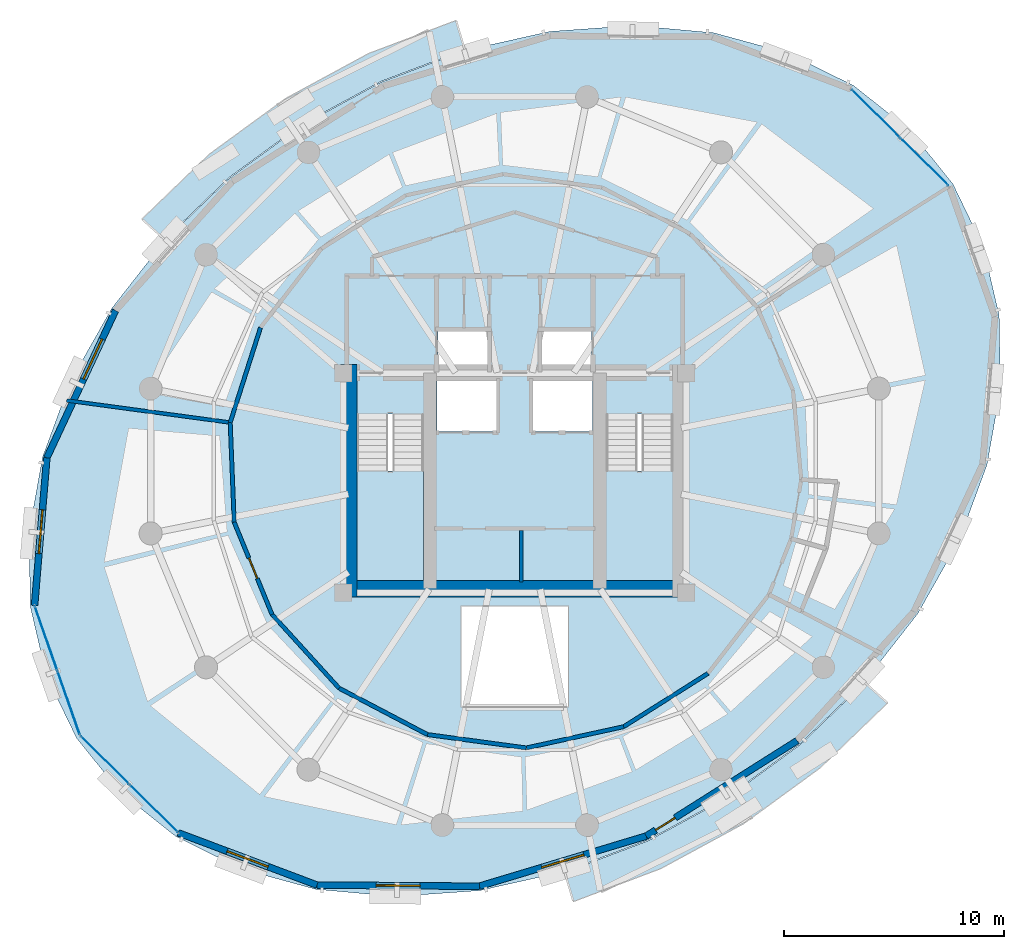
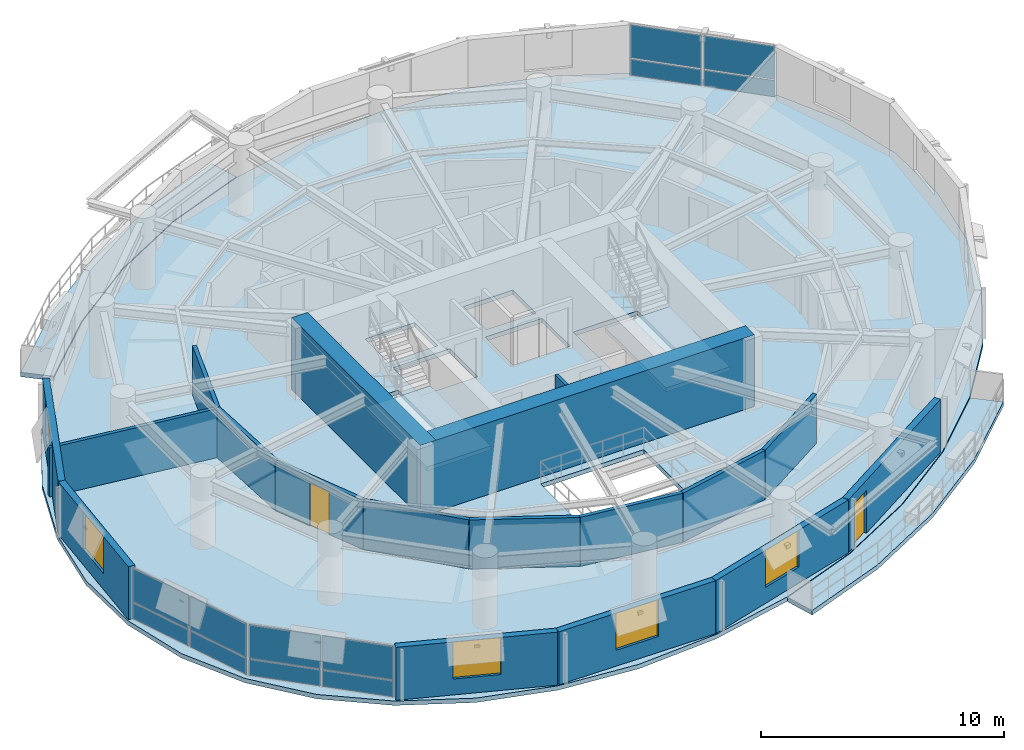
# One storey, part 7 of 12: 18 walls, 12 plates, 5 slabs, 5 windows, 2 doors, 7 openings, 5 elements without a shape of their own.
"""IFC4 building model written with IfcOpenShell, lengths in metres."""

from ifc_helpers import new_model, si_unit, direction, frame, frame_2d, origin, origin_2d, place, context, subcontext, project, spatial, polyline, rectangle, outline, extrude, material, layer, layer_set, type_object, element, fill, aggregate, save


model = new_model("IFC4")

# Units and contexts
model_context = context("Model", 3, precision=1e-05, world=origin(), true_north=direction((0.0, 1.0)))
body_context = subcontext(model_context, "Body", "Model", "MODEL_VIEW")
ifc_project = project(units=[si_unit("LENGTHUNIT", "METRE"), si_unit("AREAUNIT", "SQUARE_METRE"), si_unit("VOLUMEUNIT", "CUBIC_METRE"), si_unit("PLANEANGLEUNIT", "RADIAN"), si_unit("MASSUNIT", "GRAM", prefix="KILO"), si_unit("THERMODYNAMICTEMPERATUREUNIT", "KELVIN"), si_unit("POWERUNIT", "WATT")], contexts=[model_context])

# Site, building, storey
site_placement = place(None, origin())
site = spatial("IfcSite", under=ifc_project, at=site_placement, CompositionType="ELEMENT")
building_placement = place(site_placement, origin())
building = spatial("IfcBuilding", under=site, at=building_placement, Name="Ocrelia Relay Tower", CompositionType="ELEMENT")
storey_placement = place(building_placement, frame((0.0, 0.0, 170.0)))
storey = spatial("IfcBuildingStorey", under=building, at=storey_placement, Name="L40", CompositionType="ELEMENT", Elevation=170.0)

# Curtain wall, plates
ifc_material_1 = material(Name="Aluminium and solar-control low-E glass", Category="aluminium")
ifc_layer_1 = layer(ifc_material_1, 0.179931640625, Name="Aluminium and solar-control low-E glass")
ifc_layer_set_1 = layer_set([ifc_layer_1], Name="Aluminium and solar-control low-E glass")
curtain_wall_type = type_object("IfcCurtainWallType", Name="CW-SYS-Z3-CLOU", PredefinedType="NOTDEFINED", material=ifc_layer_set_1)
curtain_wall_1_placement = place(storey_placement, origin())
curtain_wall_1 = element("IfcCurtainWall", 1, at=curtain_wall_1_placement, inside=storey, type_object=curtain_wall_type, Name="L40 Elliptical Tower Curtain Wall Bay 01", PredefinedType="NOTDEFINED")
ifc_material_2 = material(Name="Clear double-glazed low-E glass", Category="glass")
ifc_layer_2 = layer(ifc_material_2, 0.031982421875, Name="Clear double-glazed low-E glass")
ifc_layer_set_2 = layer_set([ifc_layer_2], Name="Clear double-glazed low-E glass")
plate_type = type_object("IfcPlateType", Name="CW-SYS-Z3-CLOU-PNL", PredefinedType="CURTAIN_PANEL", material=ifc_layer_set_2)
plate_1_placement = place(storey_placement, frame((52.651611328125, 39.620361328125, 0.06005859375), z_axis=(0.0, 0.0, 1.0), x_axis=(-0.710552264425, 0.70364442691, 0.0)))
plate_1 = element("IfcPlate", 2, at=plate_1_placement, type_object=plate_type, Name="CW-Z3 panel 1.1", PredefinedType="CURTAIN_PANEL", context=body_context, shape_type="SweptSolid", body=[
    extrude(rectangle(XDim=3.0439453125, YDim=0.031982421875, at=origin_2d()), origin(), (0.0, 0.0, 1.0), 0.81005859375),
])
plate_2_placement = place(storey_placement, frame((52.651611328125, 39.620361328125, 0.929931640625), z_axis=(0.0, 0.0, 1.0), x_axis=(-0.710552264425, 0.70364442691, 0.0)))
plate_2 = element("IfcPlate", 3, at=plate_2_placement, type_object=plate_type, Name="CW-Z3 panel 1.2", PredefinedType="CURTAIN_PANEL", context=body_context, shape_type="SweptSolid", body=[
    extrude(rectangle(XDim=3.0439453125, YDim=0.031982421875, at=origin_2d()), origin(), (0.0, 0.0, 1.0), 1.669921875),
])
plate_3_placement = place(storey_placement, frame((50.4423828125, 41.807861328125, 0.06005859375), z_axis=(0.0, 0.0, 1.0), x_axis=(-0.710552264425, 0.70364442691, 0.0)))
plate_3 = element("IfcPlate", 4, at=plate_3_placement, type_object=plate_type, Name="CW-Z3 panel 2.1", PredefinedType="CURTAIN_PANEL", context=body_context, shape_type="SweptSolid", body=[
    extrude(rectangle(XDim=3.0439453125, YDim=0.031982421875, at=origin_2d()), origin(), (0.0, 0.0, 1.0), 0.81005859375),
])
plate_4_placement = place(storey_placement, frame((50.4423828125, 41.807861328125, 0.929931640625), z_axis=(0.0, 0.0, 1.0), x_axis=(-0.710552264425, 0.70364442691, 0.0)))
plate_4 = element("IfcPlate", 5, at=plate_4_placement, type_object=plate_type, Name="CW-Z3 panel 2.2", PredefinedType="CURTAIN_PANEL", context=body_context, shape_type="SweptSolid", body=[
    extrude(rectangle(XDim=3.0439453125, YDim=0.031982421875, at=origin_2d()), origin(), (0.0, 0.0, 1.0), 1.669921875),
])
aggregate(curtain_wall_1, [plate_1, plate_2, plate_3, plate_4])

curtain_wall_2_placement = place(storey_placement, origin())
curtain_wall_2 = element("IfcCurtainWall", 6, at=curtain_wall_2_placement, inside=storey, type_object=curtain_wall_type, Name="L40 Elliptical Tower Curtain Wall Bay 09", PredefinedType="NOTDEFINED")
plate_5_placement = place(storey_placement, frame((12.667236328125, 17.927490234375, 0.06005859375), z_axis=(0.0, 0.0, 1.0), x_axis=(0.330844541602, -0.943685270253, 0.0)))
plate_5 = element("IfcPlate", 7, at=plate_5_placement, type_object=plate_type, Name="CW-Z3 panel 1.1", PredefinedType="CURTAIN_PANEL", context=body_context, shape_type="SweptSolid", body=[
    extrude(rectangle(XDim=3.0439453125, YDim=0.031982421875, at=origin_2d()), origin(), (0.0, 0.0, 1.0), 0.81005859375),
])
plate_6_placement = place(storey_placement, frame((12.667236328125, 17.927490234375, 0.929931640625), z_axis=(0.0, 0.0, 1.0), x_axis=(0.330844541602, -0.943685270253, 0.0)))
plate_6 = element("IfcPlate", 8, at=plate_6_placement, type_object=plate_type, Name="CW-Z3 panel 1.2", PredefinedType="CURTAIN_PANEL", context=body_context, shape_type="SweptSolid", body=[
    extrude(rectangle(XDim=3.0439453125, YDim=0.031982421875, at=origin_2d()), origin(), (0.0, 0.0, 1.0), 1.669921875),
])
plate_7_placement = place(storey_placement, frame((13.69580078125, 14.99365234375, 0.06005859375), z_axis=(0.0, 0.0, 1.0), x_axis=(0.330844541602, -0.943685270253, 0.0)))
plate_7 = element("IfcPlate", 9, at=plate_7_placement, type_object=plate_type, Name="CW-Z3 panel 2.1", PredefinedType="CURTAIN_PANEL", context=body_context, shape_type="SweptSolid", body=[
    extrude(rectangle(XDim=3.0439453125, YDim=0.031982421875, at=origin_2d()), origin(), (0.0, 0.0, 1.0), 0.81005859375),
])
plate_8_placement = place(storey_placement, frame((13.69580078125, 14.99365234375, 0.929931640625), z_axis=(0.0, 0.0, 1.0), x_axis=(0.330844541602, -0.943685270253, 0.0)))
plate_8 = element("IfcPlate", 10, at=plate_8_placement, type_object=plate_type, Name="CW-Z3 panel 2.2", PredefinedType="CURTAIN_PANEL", context=body_context, shape_type="SweptSolid", body=[
    extrude(rectangle(XDim=3.0439453125, YDim=0.031982421875, at=origin_2d()), origin(), (0.0, 0.0, 1.0), 1.669921875),
])
aggregate(curtain_wall_2, [plate_5, plate_6, plate_7, plate_8])

curtain_wall_3_placement = place(storey_placement, origin())
curtain_wall_3 = element("IfcCurtainWall", 11, at=curtain_wall_3_placement, inside=storey, type_object=curtain_wall_type, Name="L40 Elliptical Tower Curtain Wall Bay 10", PredefinedType="NOTDEFINED")
plate_9_placement = place(storey_placement, frame((15.348388671875, 12.379638671875, 0.06005859375), z_axis=(0.0, 0.0, 1.0), x_axis=(0.710552264425, -0.70364442691, 0.0)))
plate_9 = element("IfcPlate", 12, at=plate_9_placement, type_object=plate_type, Name="CW-Z3 panel 1.1", PredefinedType="CURTAIN_PANEL", context=body_context, shape_type="SweptSolid", body=[
    extrude(rectangle(XDim=3.0439453125, YDim=0.031982421875, at=origin_2d()), origin(), (0.0, 0.0, 1.0), 0.81005859375),
])
plate_10_placement = place(storey_placement, frame((15.348388671875, 12.379638671875, 0.929931640625), z_axis=(0.0, 0.0, 1.0), x_axis=(0.710552264425, -0.70364442691, 0.0)))
plate_10 = element("IfcPlate", 13, at=plate_10_placement, type_object=plate_type, Name="CW-Z3 panel 1.2", PredefinedType="CURTAIN_PANEL", context=body_context, shape_type="SweptSolid", body=[
    extrude(rectangle(XDim=3.0439453125, YDim=0.031982421875, at=origin_2d()), origin(), (0.0, 0.0, 1.0), 1.669921875),
])
plate_11_placement = place(storey_placement, frame((17.5576171875, 10.192138671875, 0.06005859375), z_axis=(0.0, 0.0, 1.0), x_axis=(0.710552264425, -0.70364442691, 0.0)))
plate_11 = element("IfcPlate", 14, at=plate_11_placement, type_object=plate_type, Name="CW-Z3 panel 2.1", PredefinedType="CURTAIN_PANEL", context=body_context, shape_type="SweptSolid", body=[
    extrude(rectangle(XDim=3.0439453125, YDim=0.031982421875, at=origin_2d()), origin(), (0.0, 0.0, 1.0), 0.81005859375),
])
plate_12_placement = place(storey_placement, frame((17.5576171875, 10.192138671875, 0.929931640625), z_axis=(0.0, 0.0, 1.0), x_axis=(0.710552264425, -0.70364442691, 0.0)))
plate_12 = element("IfcPlate", 15, at=plate_12_placement, type_object=plate_type, Name="CW-Z3 panel 2.2", PredefinedType="CURTAIN_PANEL", context=body_context, shape_type="SweptSolid", body=[
    extrude(rectangle(XDim=3.0439453125, YDim=0.031982421875, at=origin_2d()), origin(), (0.0, 0.0, 1.0), 1.669921875),
])
aggregate(curtain_wall_3, [plate_9, plate_10, plate_11, plate_12])

# Slabs
ifc_material_3 = material(Name="Precast concrete C40/50", Category="concrete")
ifc_layer_3 = layer(ifc_material_3, 0.219970703125, Name="Precast concrete C40/50")
ifc_layer_set_3 = layer_set([ifc_layer_3], Name="Precast concrete C40/50")
slab_type_1 = type_object("IfcSlabType", Name="SL-BALC-220", PredefinedType="FLOOR", material=ifc_layer_set_3)
slab_1_placement = place(storey_placement, frame((0.0, 0.0, -0.219970703125)))
element("IfcSlab", 16, at=slab_1_placement, inside=storey, type_object=slab_type_1, Name="L40 Planted Loggia Balcony B1", PredefinedType="FLOOR", context=body_context, shape_type="SweptSolid", body=[
    extrude(outline(polyline([(31.7255859375, 44.718505859375), (29.826171875, 44.001220703125), (27.926513671875, 43.283935546875), (24.31201171875, 41.32470703125), (20.991943359375, 38.89990234375), (19.529296875, 37.49169921875), (18.06640625, 36.08349609375), (17.03173828125, 37.01708984375), (18.56396484375, 38.491943359375), (20.095947265625, 39.966796875), (23.567626953125, 42.502197265625), (27.34716796875, 44.551025390625), (29.336669921875, 45.30224609375), (31.326171875, 46.053466796875), (31.7255859375, 44.718505859375)])), origin(), (0.0, 0.0, 1.0), 0.219970703125),
])
slab_2_placement = place(storey_placement, frame((0.0, 0.0, -0.219970703125)))
element("IfcSlab", 17, at=slab_2_placement, inside=storey, type_object=slab_type_1, Name="L40 Planted Loggia Balcony B2", PredefinedType="FLOOR", context=body_context, shape_type="SweptSolid", body=[
    extrude(outline(polyline([(36.2744140625, 7.281494140625), (38.173828125, 7.998779296875), (40.073486328125, 8.716064453125), (43.68798828125, 10.67529296875), (47.008056640625, 13.10009765625), (48.470703125, 14.50830078125), (49.93359375, 15.91650390625), (50.96826171875, 14.98291015625), (49.43603515625, 13.508056640625), (47.904052734375, 12.033203125), (44.432373046875, 9.497802734375), (40.65283203125, 7.448974609375), (38.663330078125, 6.69775390625), (36.673828125, 5.946533203125), (36.2744140625, 7.281494140625)])), origin(), (0.0, 0.0, 1.0), 0.219970703125),
])
ifc_material_4 = material(Name="Concrete C50/60", Category="concrete")
ifc_layer_4 = layer(ifc_material_4, 0.219970703125, Name="Concrete C50/60")
ifc_layer_set_4 = layer_set([ifc_layer_4], Name="Concrete C50/60")
slab_type_2 = type_object("IfcSlabType", Name="SL-FLR-220", PredefinedType="FLOOR", material=ifc_layer_set_4)
slab_3_placement = place(storey_placement, frame((0.0, 0.0, -0.219970703125)))
element("IfcSlab", 18, at=slab_3_placement, inside=storey, type_object=slab_type_2, Name="L40 Elliptical Tower Floor Slab", PredefinedType="FLOOR", context=body_context, shape_type="SweptSolid", body=[
    extrude(outline(polyline([(53.9482421875, 38.610595703125), (51.965576171875, 41.07568359375), (49.437255859375, 43.082763671875), (46.439697265625, 44.57080078125), (43.064208984375, 45.494384765625), (39.413330078125, 45.825927734375), (35.59814453125, 45.554931640625), (31.734130859375, 44.689697265625), (27.939208984375, 43.256591796875), (24.328125, 41.29931640625), (21.01123046875, 38.876953125), (18.0888671875, 36.0634765625), (15.64990234375, 32.944091796875), (13.7685546875, 29.614013671875), (12.501953125, 26.173828125), (11.888427734375, 22.728515625), (11.947021484375, 19.382568359375), (12.67529296875, 16.237548828125), (14.0517578125, 13.389404296875), (16.034423828125, 10.92431640625), (18.562744140625, 8.917236328125), (21.560302734375, 7.42919921875), (24.935791015625, 6.505615234375), (28.586669921875, 6.174072265625), (32.40185546875, 6.445068359375), (36.265869140625, 7.310302734375), (40.060791015625, 8.743408203125), (43.671875, 10.70068359375), (46.98876953125, 13.123046875), (49.9111328125, 15.9365234375), (52.35009765625, 19.055908203125), (54.2314453125, 22.385986328125), (55.498046875, 25.826171875), (56.111572265625, 29.271484375), (56.052978515625, 32.617431640625), (55.32470703125, 35.762451171875), (53.9482421875, 38.610595703125)]), holes=[polyline([(26.81005859375, 28.14990234375), (26.81005859375, 20.550048828125), (29.85009765625, 20.550048828125), (29.85009765625, 28.14990234375), (26.81005859375, 28.14990234375)]), polyline([(38.159912109375, 28.14990234375), (38.159912109375, 20.550048828125), (41.199951171875, 20.550048828125), (41.199951171875, 28.14990234375), (38.159912109375, 28.14990234375)]), polyline([(30.4599609375, 27.35009765625), (33.159912109375, 27.35009765625), (33.159912109375, 29.64990234375), (30.4599609375, 29.64990234375), (30.4599609375, 27.35009765625)]), polyline([(34.840087890625, 27.35009765625), (37.5400390625, 27.35009765625), (37.5400390625, 29.64990234375), (34.840087890625, 29.64990234375), (34.840087890625, 27.35009765625)]), polyline([(30.5, 30.10009765625), (32.85009765625, 30.10009765625), (32.85009765625, 32.0), (30.5, 32.0), (30.5, 30.10009765625)]), polyline([(35.14990234375, 30.10009765625), (37.5, 30.10009765625), (37.5, 32.0), (35.14990234375, 32.0), (35.14990234375, 30.10009765625)]), polyline([(31.550048828125, 14.800048828125), (36.449951171875, 14.800048828125), (36.449951171875, 19.39990234375), (31.550048828125, 19.39990234375), (31.550048828125, 14.800048828125)])]), origin(), (0.0, 0.0, 1.0), 0.219970703125),
])

# Stair, slab
stair_type = type_object("IfcStairType", Name="ST-DL-1420-R180", PredefinedType="HALF_TURN_STAIR", material=ifc_material_4)
stair_1_placement = place(storey_placement, origin())
stair_1 = element("IfcStair", 19, at=stair_1_placement, inside=storey, type_object=stair_type, Name="L40 West Core Exit Stair ST1", PredefinedType="HALF_TURN_STAIR")
ifc_layer_5 = layer(ifc_material_4, 0.199951171875, Name="Concrete C50/60")
ifc_layer_set_5 = layer_set([ifc_layer_5], Name="Concrete C50/60")
slab_type_3 = type_object("IfcSlabType", Name="SL-LANDING-200", PredefinedType="LANDING", material=ifc_layer_set_5)
slab_4_placement = place(storey_placement, frame((0.0, 0.0, 1.60009765625)))
slab_4 = element("IfcSlab", 20, at=slab_4_placement, type_object=slab_type_3, Name="ST1 landing 1", PredefinedType="LANDING", context=body_context, shape_type="SweptSolid", body=[
    extrude(outline(polyline([(26.81005859375, 25.5400390625), (26.81005859375, 20.550048828125), (29.85009765625, 20.550048828125), (29.85009765625, 25.5400390625), (26.81005859375, 25.5400390625)])), origin(), (0.0, 0.0, 1.0), 0.199951171875),
])
aggregate(stair_1, [slab_4])

stair_2_placement = place(storey_placement, origin())
stair_2 = element("IfcStair", 21, at=stair_2_placement, inside=storey, type_object=stair_type, Name="L40 East Core Exit Stair ST2", PredefinedType="HALF_TURN_STAIR")
slab_5_placement = place(storey_placement, frame((0.0, 0.0, 1.60009765625)))
slab_5 = element("IfcSlab", 22, at=slab_5_placement, type_object=slab_type_3, Name="ST2 landing 1", PredefinedType="LANDING", context=body_context, shape_type="SweptSolid", body=[
    extrude(outline(polyline([(38.159912109375, 25.5400390625), (38.159912109375, 20.550048828125), (41.199951171875, 20.550048828125), (41.199951171875, 25.5400390625), (38.159912109375, 25.5400390625)])), origin(), (0.0, 0.0, 1.0), 0.199951171875),
])
aggregate(stair_2, [slab_5])

# Walls
ifc_material_5 = material(Name="Concrete C60/75", Category="concrete")
ifc_layer_6 = layer(ifc_material_5, 0.75, Name="Concrete C60/75")
ifc_layer_set_6 = layer_set([ifc_layer_6], Name="Concrete C60/75")
wall_type_1 = type_object("IfcWallType", Name="CW-CORE-750", PredefinedType="SHEAR", material=ifc_layer_set_6)
wall_1_placement = place(storey_placement, frame((26.072021484375, 20.18701171875, 0.0), z_axis=(0.0, 0.0, 1.0), x_axis=(1.0, 0.0, 0.0)))
element("IfcWall", 23, at=wall_1_placement, inside=storey, type_object=wall_type_1, Name="L40 Core Shear Wall S", PredefinedType="SHEAR", context=body_context, shape_type="SweptSolid", body=[
    extrude(rectangle(XDim=15.865966796875, YDim=0.75, at=frame_2d((7.93310546875, 0.0))), origin(), (0.0, 0.0, 1.0), 3.60009765625),
])
wall_2_placement = place(storey_placement, frame((26.447021484375, 19.81201171875, 0.0), z_axis=(0.0, 0.0, 1.0), x_axis=(0.0, 1.0, 0.0)))
element("IfcWall", 24, at=wall_2_placement, inside=storey, type_object=wall_type_1, Name="L40 Core Shear Wall W", PredefinedType="SHEAR", context=body_context, shape_type="SweptSolid", body=[
    extrude(rectangle(XDim=10.575927734375, YDim=0.75, at=frame_2d((5.2880859375, 0.0))), origin(), (0.0, 0.0, 1.0), 3.60009765625),
])
ifc_material_6 = material(Name="Gypsum Fireboard Partition EI60", Category="gypsum")
ifc_layer_7 = layer(ifc_material_6, 0.179931640625, Name="Gypsum Fireboard Partition EI60")
ifc_layer_set_7 = layer_set([ifc_layer_7], Name="Gypsum Fireboard Partition EI60")
wall_type_2 = type_object("IfcWallType", Name="W-CORR-EI60-180", PredefinedType="PARTITIONING", material=ifc_layer_set_7)
for number, where, z_axis, x_axis, name in (
    (25, (22.427978515625, 32.075439453125, 0.0), (0.0, 0.0, 1.0), (-0.3040515983, -0.952655565024, 0.0), "L40 Cloud Engineering Workspace Corridor Partition 7"),
    (26, (21.0478515625, 27.751220703125, 0.0), (0.0, 0.0, 1.0), (0.040124843997, -0.999194674172, 0.0), "L40 Protocol Simulation Studio Corridor Partition 1"),
):
    element("IfcWall", number, at=place(storey_placement, frame(where, z_axis=z_axis, x_axis=x_axis)), inside=storey, type_object=wall_type_2, Name=name, PredefinedType="PARTITIONING", context=body_context, shape_type="SweptSolid", body=[
        extrude(rectangle(XDim=4.5390625, YDim=0.179931640625, at=frame_2d((2.26953125, 0.0))), origin(), (0.0, 0.0, 1.0), 2.4599609375),
    ])

# Wall, opening, door
wall_3_placement = place(storey_placement, frame((21.22998046875, 23.2158203125, 0.0), z_axis=(0.0, 0.0, 1.0), x_axis=(0.379453656824, -0.925210744816, 0.0)))
wall_3 = element("IfcWall", 27, at=wall_3_placement, inside=storey, type_object=wall_type_2, Name="L40 Protocol Simulation Studio Corridor Partition 2", PredefinedType="PARTITIONING", context=body_context, shape_type="SweptSolid", body=[
    extrude(rectangle(XDim=4.539306640625, YDim=0.179931640625, at=frame_2d((2.26953125, 0.0))), origin(), (0.0, 0.0, 1.0), 2.4599609375),
])
opening_1_placement = place(wall_3_placement, frame((1.76953125, 0.0, 0.0)))
opening_1 = element("IfcOpeningElement", 28, at=opening_1_placement, cuts=wall_3, Name="Opening D-RM100", PredefinedType="OPENING", context=body_context, shape_type="SweptSolid", body=[
    extrude(rectangle(XDim=1.0, YDim=2.14990234375, at=frame_2d((0.5, 1.074951171875))), frame((0.0, 0.10009765625, 0.0), z_axis=(0.0, -1.0, 0.0), x_axis=(1.0, 0.0, 0.0)), (0.0, 0.0, 1.0), 0.199951171875),
])
ifc_material_7 = material(Name="Acoustic oak veneer fire door", Category="wood")
door_type_1 = type_object("IfcDoorType", Name="DR-ROOM-FD60-1000", OperationType="NOTDEFINED", PredefinedType="DOOR", material=ifc_material_7)
door_1_placement = place(opening_1_placement, origin())
door_1 = element("IfcDoor", 29, at=door_1_placement, inside=storey, type_object=door_type_1, Name="L40 Protocol Simulation Studio Entrance Door", OperationType="SINGLE_SWING_RIGHT", OverallHeight=2.14990234375, OverallWidth=1.0, PredefinedType="DOOR", context=body_context, shape_type="SweptSolid", body=[
    extrude(rectangle(XDim=1.0, YDim=2.14990234375, at=frame_2d((0.5, 1.074951171875))), frame((0.0, 0.02490234375, 0.0), z_axis=(0.0, -1.0, 0.0), x_axis=(1.0, 0.0, 0.0)), (0.0, 0.0, 1.0), 0.050048828125),
])
fill(opening_1, door_1)

# Walls
for number, where, z_axis, x_axis, name in (
    (30, (22.952392578125, 19.01611328125, 0.0), (0.0, 0.0, 1.0), (0.673002003664, -0.739640658066, 0.0), "L40 Protocol Simulation Studio Corridor Partition 3"),
    (31, (26.00732421875, 15.65869140625, 0.0), (0.0, 0.0, 1.0), (0.885387941707, -0.464852872079, 0.0), "L40 Protocol Simulation Studio Corridor Partition 4"),
):
    element("IfcWall", number, at=place(storey_placement, frame(where, z_axis=z_axis, x_axis=x_axis)), inside=storey, type_object=wall_type_2, Name=name, PredefinedType="PARTITIONING", context=body_context, shape_type="SweptSolid", body=[
        extrude(rectangle(XDim=4.539306640625, YDim=0.179931640625, at=frame_2d((2.26953125, 0.0))), origin(), (0.0, 0.0, 1.0), 2.4599609375),
    ])
wall_4_placement = place(storey_placement, frame((30.0263671875, 13.548583984375, 0.0), z_axis=(0.0, 0.0, 1.0), x_axis=(0.990983360639, -0.133984995189, 0.0)))
element("IfcWall", 32, at=wall_4_placement, inside=storey, type_object=wall_type_2, Name="L40 Protocol Simulation Studio Corridor Partition 5", PredefinedType="PARTITIONING", context=body_context, shape_type="SweptSolid", body=[
    extrude(rectangle(XDim=4.5390625, YDim=0.179931640625, at=frame_2d((2.26953125, 0.0))), origin(), (0.0, 0.0, 1.0), 2.4599609375),
])
for number, where, z_axis, x_axis, name in (
    (33, (34.5244140625, 12.9404296875, 0.0), (0.0, 0.0, 1.0), (0.97704365497, 0.213039189548, 0.0), "L40 Protocol Simulation Studio Corridor Partition 6"),
    (34, (38.95947265625, 13.907470703125, 0.0), (0.0, 0.0, 1.0), (0.845267730812, 0.53434302021, 0.0), "L40 Protocol Simulation Studio Corridor Partition 7"),
):
    element("IfcWall", number, at=place(storey_placement, frame(where, z_axis=z_axis, x_axis=x_axis)), inside=storey, type_object=wall_type_2, Name=name, PredefinedType="PARTITIONING", context=body_context, shape_type="SweptSolid", body=[
        extrude(rectangle(XDim=4.539306640625, YDim=0.179931640625, at=frame_2d((2.26953125, 0.0))), origin(), (0.0, 0.0, 1.0), 2.4599609375),
    ])

# Wall, opening, window
ifc_material_8 = material(Name="Precast concrete C40/50 with oxide terracotta", Category="masonry")
ifc_layer_8 = layer(ifc_material_8, 0.300048828125, Name="Precast concrete C40/50 with oxide terracotta")
ifc_layer_set_8 = layer_set([ifc_layer_8], Name="Precast concrete C40/50 with oxide terracotta")
wall_type_3 = type_object("IfcWallType", Name="W-EXT-TERR-300", PredefinedType="SOLIDWALL", material=ifc_layer_set_8)
wall_5_placement = place(storey_placement, frame((15.826904296875, 32.851318359375, 0.0), z_axis=(0.0, 0.0, 1.0), x_axis=(-0.422665033613, -0.906285975485, 0.0)))
wall_5 = element("IfcWall", 35, at=wall_5_placement, inside=storey, type_object=wall_type_3, Name="L40 Oxide Terracotta Facade Wall 07", PredefinedType="SOLIDWALL", context=body_context, shape_type="SweptSolid", body=[
    extrude(rectangle(XDim=7.397705078125, YDim=0.300048828125, at=frame_2d((3.69873046875, 0.0))), origin(), (0.0, 0.0, 1.0), 2.659912109375),
])
opening_2_placement = place(wall_5_placement, frame((1.43896484375, 0.0, 0.800048828125)))
opening_2 = element("IfcOpeningElement", 36, at=opening_2_placement, cuts=wall_5, Name="Opening W-03", PredefinedType="OPENING", context=body_context, shape_type="SweptSolid", body=[
    extrude(rectangle(XDim=2.0, YDim=1.85009765625, at=frame_2d((1.0, 0.925048828125))), frame((0.0, 0.16015625, 0.0), z_axis=(0.0, -1.0, 0.0), x_axis=(1.0, 0.0, 0.0)), (0.0, 0.0, 1.0), 0.320068359375),
])
window_type = type_object("IfcWindowType", Name="WIN-Z3-2000x2200", PartitioningType="DOUBLE_PANEL_VERTICAL", PredefinedType="WINDOW", material=ifc_material_2)
window_1_placement = place(opening_2_placement, origin())
window_1 = element("IfcWindow", 37, at=window_1_placement, inside=storey, type_object=window_type, Name="L40 Facade Module Window 07", OverallHeight=1.85009765625, OverallWidth=2.0, PartitioningType="SINGLE_PANEL", PredefinedType="WINDOW", context=body_context, shape_type="SweptSolid", body=[
    extrude(rectangle(XDim=2.0, YDim=1.85009765625, at=frame_2d((1.0, 0.925048828125))), frame((0.0, 0.030029296875, 0.0), z_axis=(0.0, -1.0, 0.0), x_axis=(1.0, 0.0, 0.0)), (0.0, 0.0, 1.0), 0.06005859375),
])
fill(opening_2, window_1)

wall_6_placement = place(storey_placement, frame((12.7001953125, 26.14697265625, 0.0), z_axis=(0.0, 0.0, 1.0), x_axis=(-0.082706983643, -0.996573908376, 0.0)))
wall_6 = element("IfcWall", 38, at=wall_6_placement, inside=storey, type_object=wall_type_3, Name="L40 Oxide Terracotta Facade Wall 08", PredefinedType="SOLIDWALL", context=body_context, shape_type="SweptSolid", body=[
    extrude(rectangle(XDim=6.7451171875, YDim=0.300048828125, at=frame_2d((3.37255859375, 0.0))), origin(), (0.0, 0.0, 1.0), 2.659912109375),
])
opening_3_placement = place(wall_6_placement, frame((2.373046875, 0.0, 0.800048828125)))
opening_3 = element("IfcOpeningElement", 39, at=opening_3_placement, cuts=wall_6, Name="Opening W-03", PredefinedType="OPENING", context=body_context, shape_type="SweptSolid", body=[
    extrude(rectangle(XDim=2.0, YDim=1.85009765625, at=frame_2d((1.0, 0.925048828125))), frame((0.0, 0.16015625, 0.0), z_axis=(0.0, -1.0, 0.0), x_axis=(1.0, 0.0, 0.0)), (0.0, 0.0, 1.0), 0.320068359375),
])
window_2_placement = place(opening_3_placement, origin())
window_2 = element("IfcWindow", 40, at=window_2_placement, inside=storey, type_object=window_type, Name="L40 Facade Module Window 08", OverallHeight=1.85009765625, OverallWidth=2.0, PartitioningType="SINGLE_PANEL", PredefinedType="WINDOW", context=body_context, shape_type="SweptSolid", body=[
    extrude(rectangle(XDim=2.0, YDim=1.85009765625, at=frame_2d((1.0, 0.925048828125))), frame((0.0, 0.030029296875, 0.0), z_axis=(0.0, -1.0, 0.0), x_axis=(1.0, 0.0, 0.0)), (0.0, 0.0, 1.0), 0.06005859375),
])
fill(opening_3, window_2)

wall_7_placement = place(storey_placement, frame((18.68505859375, 9.075439453125, 0.0), z_axis=(0.0, 0.0, 1.0), x_axis=(0.935714914353, -0.352757138917, 0.0)))
wall_7 = element("IfcWall", 41, at=wall_7_placement, inside=storey, type_object=wall_type_3, Name="L40 Oxide Terracotta Facade Wall 11", PredefinedType="SOLIDWALL", context=body_context, shape_type="SweptSolid", body=[
    extrude(rectangle(XDim=6.7451171875, YDim=0.300048828125, at=frame_2d((3.37255859375, 0.0))), origin(), (0.0, 0.0, 1.0), 2.659912109375),
])
opening_4_placement = place(wall_7_placement, frame((2.373046875, 0.0, 0.800048828125)))
opening_4 = element("IfcOpeningElement", 42, at=opening_4_placement, cuts=wall_7, Name="Opening W-03", PredefinedType="OPENING", context=body_context, shape_type="SweptSolid", body=[
    extrude(rectangle(XDim=2.0, YDim=1.85009765625, at=frame_2d((1.0, 0.925048828125))), frame((0.0, 0.16015625, 0.0), z_axis=(0.0, -1.0, 0.0), x_axis=(1.0, 0.0, 0.0)), (0.0, 0.0, 1.0), 0.320068359375),
])
window_3_placement = place(opening_4_placement, origin())
window_3 = element("IfcWindow", 43, at=window_3_placement, inside=storey, type_object=window_type, Name="L40 Facade Module Window 11", OverallHeight=1.85009765625, OverallWidth=2.0, PartitioningType="SINGLE_PANEL", PredefinedType="WINDOW", context=body_context, shape_type="SweptSolid", body=[
    extrude(rectangle(XDim=2.0, YDim=1.85009765625, at=frame_2d((1.0, 0.925048828125))), frame((0.0, 0.030029296875, 0.0), z_axis=(0.0, -1.0, 0.0), x_axis=(1.0, 0.0, 0.0)), (0.0, 0.0, 1.0), 0.06005859375),
])
fill(opening_4, window_3)

wall_8_placement = place(storey_placement, frame((24.99658203125, 6.696044921875, 0.0), z_axis=(0.0, 0.0, 1.0), x_axis=(0.999976210217, -0.006897753323, 0.0)))
wall_8 = element("IfcWall", 44, at=wall_8_placement, inside=storey, type_object=wall_type_3, Name="L40 Oxide Terracotta Facade Wall 12", PredefinedType="SOLIDWALL", context=body_context, shape_type="SweptSolid", body=[
    extrude(rectangle(XDim=7.3974609375, YDim=0.300048828125, at=frame_2d((3.69873046875, 0.0))), origin(), (0.0, 0.0, 1.0), 2.659912109375),
])
opening_5_placement = place(wall_8_placement, frame((2.698974609375, 0.0, 0.800048828125)))
opening_5 = element("IfcOpeningElement", 45, at=opening_5_placement, cuts=wall_8, Name="Opening W-03", PredefinedType="OPENING", context=body_context, shape_type="SweptSolid", body=[
    extrude(rectangle(XDim=2.0, YDim=1.85009765625, at=frame_2d((1.0, 0.925048828125))), frame((0.0, 0.16015625, 0.0), z_axis=(0.0, -1.0, 0.0), x_axis=(1.0, 0.0, 0.0)), (0.0, 0.0, 1.0), 0.320068359375),
])
window_4_placement = place(opening_5_placement, origin())
window_4 = element("IfcWindow", 46, at=window_4_placement, inside=storey, type_object=window_type, Name="L40 Facade Module Window 12", OverallHeight=1.85009765625, OverallWidth=2.0, PartitioningType="SINGLE_PANEL", PredefinedType="WINDOW", context=body_context, shape_type="SweptSolid", body=[
    extrude(rectangle(XDim=2.0, YDim=1.85009765625, at=frame_2d((1.0, 0.925048828125))), frame((0.0, 0.030029296875, 0.0), z_axis=(0.0, -1.0, 0.0), x_axis=(1.0, 0.0, 0.0)), (0.0, 0.0, 1.0), 0.06005859375),
])
fill(opening_5, window_4)

wall_9_placement = place(storey_placement, frame((32.393798828125, 6.64501953125, 0.0), z_axis=(0.0, 0.0, 1.0), x_axis=(0.957615815146, 0.288048521228, 0.0)))
wall_9 = element("IfcWall", 47, at=wall_9_placement, inside=storey, type_object=wall_type_3, Name="L40 Oxide Terracotta Facade Wall 13", PredefinedType="SOLIDWALL", context=body_context, shape_type="SweptSolid", body=[
    extrude(rectangle(XDim=7.92724609375, YDim=0.300048828125, at=frame_2d((3.963623046875, 0.0))), origin(), (0.0, 0.0, 1.0), 2.659912109375),
])
opening_6_placement = place(wall_9_placement, frame((2.964111328125, 0.0, 0.800048828125)))
opening_6 = element("IfcOpeningElement", 48, at=opening_6_placement, cuts=wall_9, Name="Opening W-03", PredefinedType="OPENING", context=body_context, shape_type="SweptSolid", body=[
    extrude(rectangle(XDim=2.0, YDim=1.85009765625, at=frame_2d((1.0, 0.925048828125))), frame((0.0, 0.16015625, 0.0), z_axis=(0.0, -1.0, 0.0), x_axis=(1.0, 0.0, 0.0)), (0.0, 0.0, 1.0), 0.320068359375),
])
window_5_placement = place(opening_6_placement, origin())
window_5 = element("IfcWindow", 49, at=window_5_placement, inside=storey, type_object=window_type, Name="L40 Facade Module Window 13", OverallHeight=1.85009765625, OverallWidth=2.0, PartitioningType="SINGLE_PANEL", PredefinedType="WINDOW", context=body_context, shape_type="SweptSolid", body=[
    extrude(rectangle(XDim=2.0, YDim=1.85009765625, at=frame_2d((1.0, 0.925048828125))), frame((0.0, 0.030029296875, 0.0), z_axis=(0.0, -1.0, 0.0), x_axis=(1.0, 0.0, 0.0)), (0.0, 0.0, 1.0), 0.06005859375),
])
fill(opening_6, window_5)

# Wall, opening, door
wall_10_placement = place(storey_placement, frame((39.985107421875, 8.928466796875, 0.0), z_axis=(0.0, 0.0, 1.0), x_axis=(0.845259673687, 0.534355765421, 0.0)))
wall_10 = element("IfcWall", 50, at=wall_10_placement, inside=storey, type_object=wall_type_3, Name="L40 Oxide Terracotta Facade Wall 14", PredefinedType="SOLIDWALL", context=body_context, shape_type="SweptSolid", body=[
    extrude(rectangle(XDim=8.126708984375, YDim=0.300048828125, at=frame_2d((4.0634765625, 0.0))), origin(), (0.0, 0.0, 1.0), 2.659912109375),
])
opening_7_placement = place(wall_10_placement, frame((0.510009765625, 0.0, 0.0)))
opening_7 = element("IfcOpeningElement", 51, at=opening_7_placement, cuts=wall_10, Name="Opening DB-105", PredefinedType="OPENING", context=body_context, shape_type="SweptSolid", body=[
    extrude(rectangle(XDim=1.050048828125, YDim=2.14990234375, at=frame_2d((0.52490234375, 1.074951171875))), frame((0.0, 0.16015625, 0.0), z_axis=(0.0, -1.0, 0.0), x_axis=(1.0, 0.0, 0.0)), (0.0, 0.0, 1.0), 0.320068359375),
])
ifc_material_9 = material(Name="Thermally broken aluminium and clear glass", Category="aluminium")
door_type_2 = type_object("IfcDoorType", Name="DR-BALC-1050", OperationType="NOTDEFINED", PredefinedType="DOOR", material=ifc_material_9)
door_2_placement = place(opening_7_placement, origin())
door_2 = element("IfcDoor", 52, at=door_2_placement, inside=storey, type_object=door_type_2, Name="L40 Planted Loggia Balcony Door B2", OperationType="SINGLE_SWING_LEFT", OverallHeight=2.14990234375, OverallWidth=1.050048828125, PredefinedType="DOOR", context=body_context, shape_type="SweptSolid", body=[
    extrude(rectangle(XDim=1.050048828125, YDim=2.14990234375, at=frame_2d((0.52490234375, 1.074951171875))), frame((0.0, 0.02490234375, 0.0), z_axis=(0.0, -1.0, 0.0), x_axis=(1.0, 0.0, 0.0)), (0.0, 0.0, 1.0), 0.050048828125),
])
fill(opening_7, door_2)

# Walls
ifc_material_10 = material(Name="Acoustic Fireboard Partition EI60", Category="gypsum")
ifc_layer_9 = layer(ifc_material_10, 0.14990234375, Name="Acoustic Fireboard Partition EI60")
ifc_layer_set_9 = layer_set([ifc_layer_9], Name="Acoustic Fireboard Partition EI60")
wall_type_4 = type_object("IfcWallType", Name="W-PART-150", PredefinedType="PARTITIONING", material=ifc_layer_set_9)
wall_11_placement = place(storey_placement, frame((34.2900390625, 20.5, 0.0), z_axis=(0.0, 0.0, 1.0), x_axis=(0.0, 1.0, 0.0)))
element("IfcWall", 53, at=wall_11_placement, inside=storey, type_object=wall_type_4, Name="L40 Reclaimed Core Dividing Wall", PredefinedType="PARTITIONING", context=body_context, shape_type="SweptSolid", body=[
    extrude(rectangle(XDim=2.340087890625, YDim=0.14990234375, at=frame_2d((1.169921875, 0.0))), origin(), (0.0, 0.0, 1.0), 2.4599609375),
])
ifc_layer_10 = layer(ifc_material_10, 0.159912109375, Name="Acoustic Fireboard Partition EI60")
ifc_layer_set_10 = layer_set([ifc_layer_10], Name="Acoustic Fireboard Partition EI60")
wall_type_5 = type_object("IfcWallType", Name="W-PART-160", PredefinedType="PARTITIONING", material=ifc_layer_set_10)
wall_12_placement = place(storey_placement, frame((21.0478515625, 27.751220703125, 0.0), z_axis=(0.0, 0.0, 1.0), x_axis=(-0.990984032371, 0.133980026817, 0.0)))
element("IfcWall", 54, at=wall_12_placement, inside=storey, type_object=wall_type_5, Name="L40 Cloud Engineering Workspace Radial Partition", PredefinedType="PARTITIONING", context=body_context, shape_type="SweptSolid", body=[
    extrude(rectangle(XDim=7.50927734375, YDim=0.159912109375, at=frame_2d((3.754638671875, 0.0))), origin(), (0.0, 0.0, 1.0), 2.4599609375),
])

save(model, "model.ifc")
